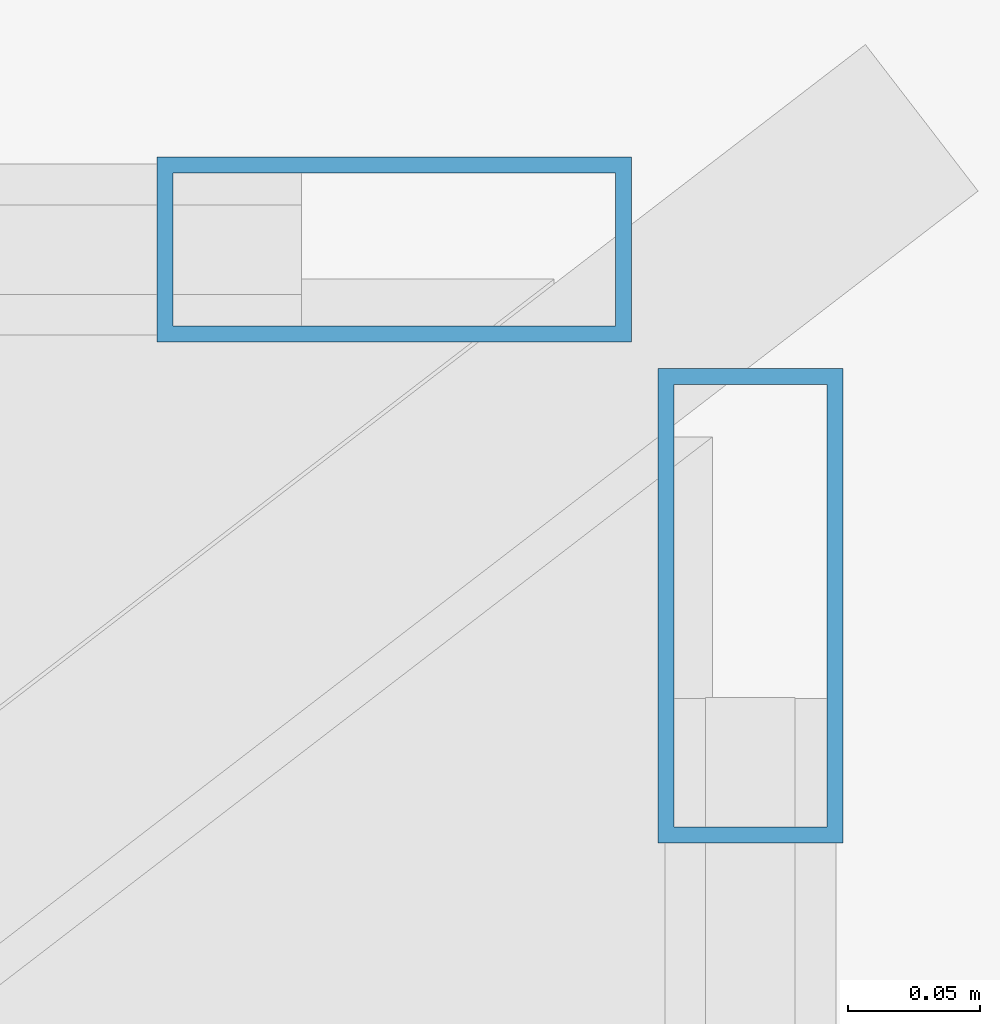
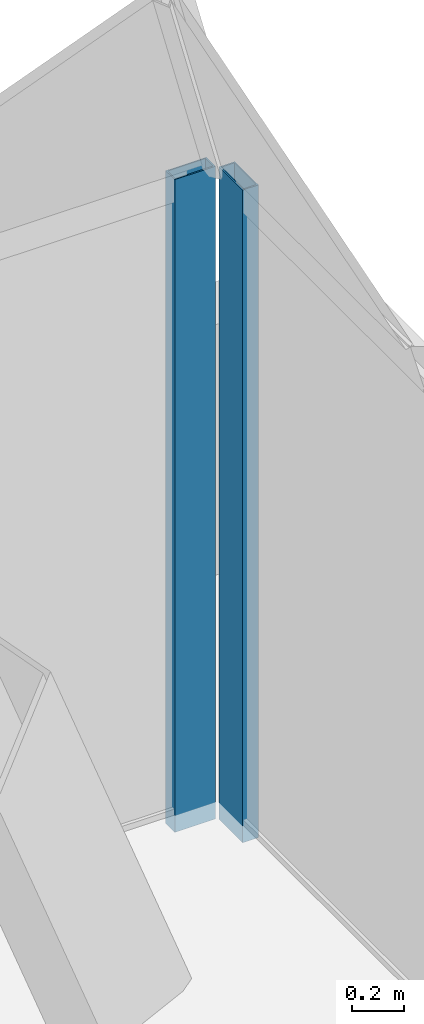
# One storey, part 29 of 32: 2 members, 2 elements without a shape of their own.
"""IFC4 building model written with IfcOpenShell, lengths in metres."""

from ifc_helpers import new_model, si_unit, direction, frame, origin, origin_2d, place, context, subcontext, project, spatial, hollow_rectangle, extrude, source, transform, mapped, material, layer, layer_set, material_profile, profile_set, type_object, element, aggregate, save


model = new_model("IFC4")

# Units and contexts
model_context = context("Model", 3, precision=1e-05, world=origin(), true_north=direction((0.0, 1.0)))
body_context = subcontext(model_context, "Body", "Model", "MODEL_VIEW")
ifc_project = project(units=[si_unit("LENGTHUNIT", "METRE"), si_unit("AREAUNIT", "SQUARE_METRE"), si_unit("VOLUMEUNIT", "CUBIC_METRE"), si_unit("PLANEANGLEUNIT", "RADIAN"), si_unit("MASSUNIT", "GRAM", prefix="KILO")], contexts=[model_context])

# Site, building, storey
site_placement = place(None, origin())
site = spatial("IfcSite", under=ifc_project, at=site_placement, CompositionType="ELEMENT")
building_placement = place(site_placement, origin())
building = spatial("IfcBuilding", under=site, at=building_placement, Name="Sumidabori Civic Tower", CompositionType="ELEMENT")
storey_placement = place(building_placement, frame((0.0, 0.0, 298.199951171875)))
storey = spatial("IfcBuildingStorey", under=building, at=storey_placement, Name="RF Roof Crown", CompositionType="ELEMENT", Elevation=298.199951171875)

# Curtain wall, member
ifc_material = material(Name="Anodised Bronze Aluminium AW-6063-T6", Category="aluminium")
ifc_layer = layer(ifc_material, 0.179931640625, Name="Anodised Bronze Aluminium AW-6063-T6")
ifc_layer_set = layer_set([ifc_layer], Name="Anodised Bronze Aluminium AW-6063-T6")
curtain_wall_type = type_object("IfcCurtainWallType", Name="CW-SYS-6", PredefinedType="NOTDEFINED", material=ifc_layer_set)
curtain_wall_1_placement = place(storey_placement, origin())
curtain_wall_1 = element("IfcCurtainWall", 1, at=curtain_wall_1_placement, inside=storey, type_object=curtain_wall_type, Name="Glass-Point Crown East Cheek Curtain Wall", PredefinedType="NOTDEFINED")
ifc_material_profile = material_profile(ifc_material, hollow_rectangle(XDim=0.070068359375, YDim=0.179931640625, WallThickness=0.006103515625, at=origin_2d()), Name="ALU MULLION 180x70")
ifc_profile_set = profile_set([ifc_material_profile], Name="Anodised Bronze Aluminium AW-6063-T6")
member_type = type_object("IfcMemberType", Name="CW-MUL-180", PredefinedType="MULLION", material=ifc_profile_set)
shared_shape = source(origin(), body_context, "Body", "SweptSolid", [
    extrude(hollow_rectangle(XDim=0.070068359375, YDim=0.179931640625, WallThickness=0.006103515625, at=origin_2d()), origin(), (0.0, 0.0, 1.0), 3.050048828125),
])
member_1_placement = place(storey_placement, frame((16.60009765625, 22.6650390625, 0.0), z_axis=(0.0, 0.0, 1.0), x_axis=(-1.0, 0.0, 0.0)))
member_1 = element("IfcMember", 2, at=member_1_placement, type_object=member_type, Name="CW-6 mullion 5", PredefinedType="MULLION", context=body_context, shape_type="MappedRepresentation", body=[
    mapped(shared_shape, transform((0.0, 0.0, 0.0), x_axis=(1.0, 0.0, 0.0), y_axis=(0.0, 1.0, 0.0), z_axis=(0.0, 0.0, 1.0), scale=1.0)),
])
aggregate(curtain_wall_1, [member_1])

curtain_wall_2_placement = place(storey_placement, origin())
curtain_wall_2 = element("IfcCurtainWall", 3, at=curtain_wall_2_placement, inside=storey, type_object=curtain_wall_type, Name="Glass-Point Crown North Shoulder Curtain Wall", PredefinedType="NOTDEFINED")
member_2_placement = place(storey_placement, frame((16.465087890625, 22.800048828125, 0.0), z_axis=(0.0, 0.0, 1.0), x_axis=(0.0, -1.0, 0.0)))
member_2 = element("IfcMember", 4, at=member_2_placement, type_object=member_type, Name="CW-6 mullion 1", PredefinedType="MULLION", context=body_context, shape_type="MappedRepresentation", body=[
    mapped(shared_shape, transform((0.0, 0.0, 0.0), x_axis=(1.0, 0.0, 0.0), y_axis=(0.0, 1.0, 0.0), z_axis=(0.0, 0.0, 1.0), scale=1.0)),
])
aggregate(curtain_wall_2, [member_2])

save(model, "model.ifc")
